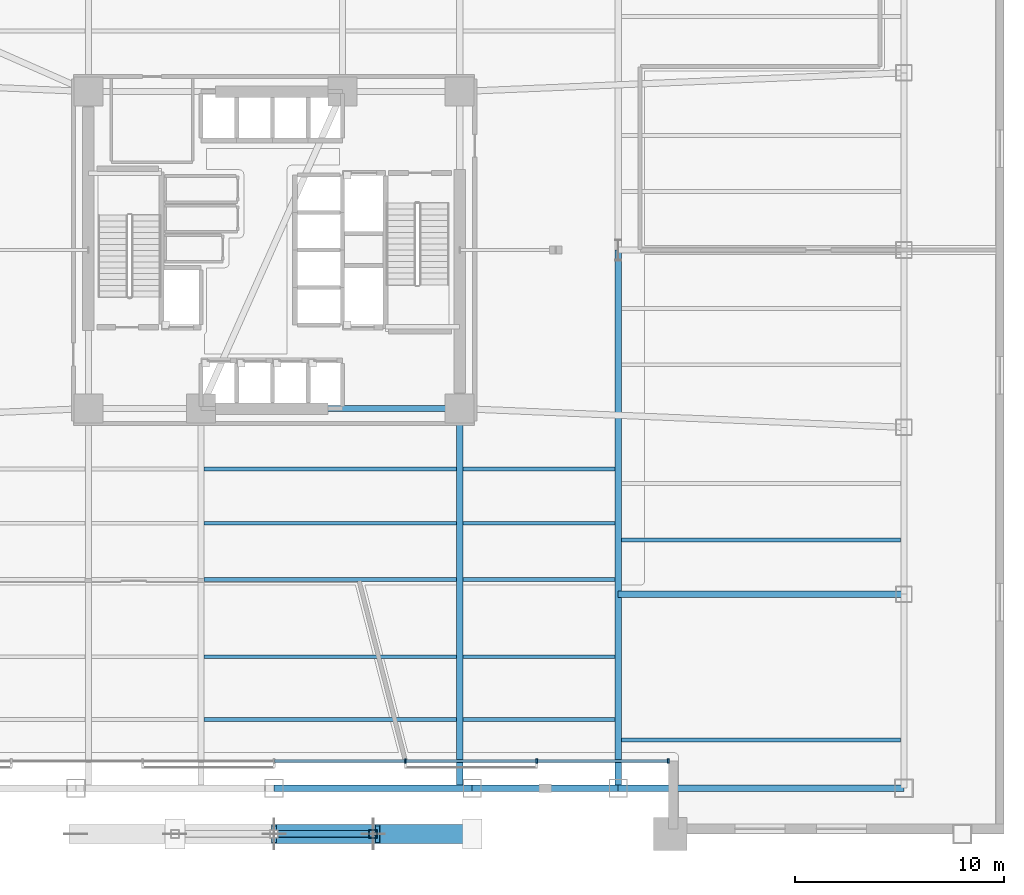
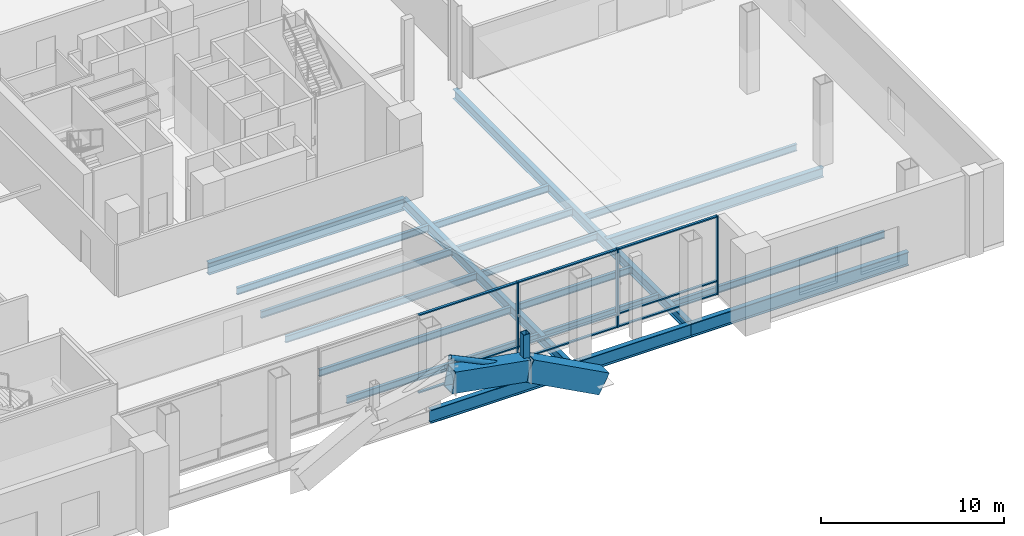
# One storey, part 4 of 19: 21 beams, 14 members, 1 element without a shape of its own.
"""IFC4 building model written with IfcOpenShell, lengths in metres."""

import ifcopenshell
import ifcopenshell.guid

model = None  # the IFC model being written
_history = None  # IfcOwnerHistory: only IFC2X3 demands one
_inside = {}  # id of a spatial element -> (the spatial element, [elements in it])
_under = {}  # id of a project, library or spatial element -> (it, [spatial elements below it])
_declared = {}  # id of a project -> (the project, [libraries it declares])
_typed = {}  # id of a type object -> (the type object, [elements of that type])
_made_of = {}  # id of a material, layer set ... -> (it, [elements and type objects made of it])


def new_model(schema):
    """Start an empty IFC model of exactly this schema.

    Asked for "IFC4X3", IfcOpenShell would pick the latest addendum, in which some entities
    have other attributes; the version numbers below select the first issue.
    IFC2X3 requires an IfcOwnerHistory on every rooted entity: one is made here for all.
    """
    global model, _history
    if schema == "IFC4X3":
        model = ifcopenshell.file(schema_version=(4, 3, 0, 0))
    else:
        model = ifcopenshell.file(schema=schema)
    _inside.clear()
    _under.clear()
    _declared.clear()
    _typed.clear()
    _made_of.clear()
    _history = None
    if model.schema == "IFC2X3":
        org = make("IfcOrganization", Name="unknown")
        user = make(
            "IfcPersonAndOrganization",
            ThePerson=make("IfcPerson", FamilyName="unknown"),
            TheOrganization=org,
        )
        app = make(
            "IfcApplication",
            ApplicationDeveloper=org,
            Version="unknown",
            ApplicationFullName="unknown",
            ApplicationIdentifier="unknown",
        )
        _history = make(
            "IfcOwnerHistory",
            OwningUser=user,
            OwningApplication=app,
            ChangeAction="ADDED",
            CreationDate=0,
        )
    return model


def make(cls, **values):
    """One entity of the class cls with the attributes given. An attribute that is None is left unset."""
    return model.create_entity(
        cls, **{name: value for name, value in values.items() if value is not None}
    )


def rooted(cls, **values):
    """An entity with a GlobalId (a new one), such as an element, a storey or a relation."""
    return make(cls, GlobalId=ifcopenshell.guid.new(), OwnerHistory=_history, **values)


def si_unit(unit_type, name, prefix=None):
    """IfcSIUnit, for example si_unit("LENGTHUNIT", "METRE", prefix="MILLI")."""
    return make("IfcSIUnit", UnitType=unit_type, Prefix=prefix, Name=name)


def assignment(units):
    """IfcUnitAssignment: the units of a project."""
    return None if units is None else make("IfcUnitAssignment", Units=units)


def point(xyz):
    """IfcCartesianPoint."""
    return None if xyz is None else make("IfcCartesianPoint", Coordinates=xyz)


def direction(xyz):
    """IfcDirection."""
    return None if xyz is None else make("IfcDirection", DirectionRatios=xyz)


def frame(location, z_axis=None, x_axis=None):
    """IfcAxis2Placement3D, a coordinate frame: its origin and axes. An axis left out is left unset."""
    return make(
        "IfcAxis2Placement3D",
        Location=point(location),
        Axis=direction(z_axis),
        RefDirection=direction(x_axis),
    )


def frame_2d(location, x_axis=None):
    """IfcAxis2Placement2D, a coordinate frame in the plane: its origin and x axis."""
    return make(
        "IfcAxis2Placement2D", Location=point(location), RefDirection=direction(x_axis)
    )


def origin():
    """The frame at (0, 0, 0) with its axes left unset."""
    return frame((0.0, 0.0, 0.0))


def origin_2d():
    """The frame at (0, 0) in the plane with its x axis left unset."""
    return frame_2d((0.0, 0.0))


def place(relative_to, where):
    """IfcLocalPlacement: puts the frame where relative to a parent placement (None: the world)."""
    return make(
        "IfcLocalPlacement", PlacementRelTo=relative_to, RelativePlacement=where
    )


def context(
    kind, dimensions, precision=None, world=None, true_north=None, identifier=None
):
    """IfcGeometricRepresentationContext, for example the 3D "Model" context."""
    return make(
        "IfcGeometricRepresentationContext",
        ContextIdentifier=identifier,
        ContextType=kind,
        CoordinateSpaceDimension=dimensions,
        Precision=precision,
        WorldCoordinateSystem=world,
        TrueNorth=true_north,
    )


def subcontext(parent, identifier, kind, view, scale=None):
    """IfcGeometricRepresentationSubContext, for example "Body" below "Model"."""
    return make(
        "IfcGeometricRepresentationSubContext",
        ContextIdentifier=identifier,
        ContextType=kind,
        ParentContext=parent,
        TargetScale=scale,
        TargetView=view,
    )


def project(units=None, contexts=None):
    """IfcProject with its units and contexts."""
    return rooted(
        "IfcProject",
        Name="project",
        RepresentationContexts=contexts,
        UnitsInContext=assignment(units),
    )


def spatial(cls, under=None, at=None, **own):
    """A site, building, storey or space (cls), placed at a placement, below another one or the project."""
    s = rooted(cls, ObjectPlacement=at, **own)
    if under is not None:
        _under.setdefault(under.id(), (under, []))[1].append(s)
    return s


def profile(cls, at=None, kind="AREA", **sizes):
    """A parametric profile (cls). Its sizes go by their IFC names, for example OverallWidth=200.0."""
    return make(cls, ProfileType=kind, Position=at, **sizes)


def rectangle(**sizes):
    """IfcRectangleProfileDef."""
    return profile("IfcRectangleProfileDef", **sizes)


def hollow_rectangle(**sizes):
    """IfcRectangleHollowProfileDef."""
    return profile("IfcRectangleHollowProfileDef", **sizes)


def hollow_circle(**sizes):
    """IfcCircleHollowProfileDef."""
    return profile("IfcCircleHollowProfileDef", **sizes)


def i_section(**sizes):
    """IfcIShapeProfileDef."""
    return profile("IfcIShapeProfileDef", **sizes)


def extrude(swept, where, along, depth):
    """IfcExtrudedAreaSolid: the profile swept, set in the frame where, extruded along a direction by depth."""
    return make(
        "IfcExtrudedAreaSolid",
        SweptArea=swept,
        Position=where,
        ExtrudedDirection=direction(along),
        Depth=depth,
    )


def shape(context_of_items, identifier, shape_type, items):
    """IfcShapeRepresentation: the items that make up one representation, for example the "Body"."""
    return make(
        "IfcShapeRepresentation",
        ContextOfItems=context_of_items,
        RepresentationIdentifier=identifier,
        RepresentationType=shape_type,
        Items=items,
    )


def material(Name=None, Category=None):
    """IfcMaterial."""
    return make("IfcMaterial", Name=Name, Category=Category)


def layer(
    of_material, thickness, ventilated=None, Name=None, Category=None, Priority=None
):
    """IfcMaterialLayer: one layer of a wall or slab, of a material (None: an air gap)."""
    return make(
        "IfcMaterialLayer",
        Material=of_material,
        LayerThickness=thickness,
        IsVentilated=ventilated,
        Name=Name,
        Category=Category,
        Priority=Priority,
    )


def layer_set(layers, Name=None):
    """IfcMaterialLayerSet."""
    return make("IfcMaterialLayerSet", MaterialLayers=layers, LayerSetName=Name)


def material_profile(
    of_material, cross_section, Name=None, Category=None, Priority=None
):
    """IfcMaterialProfile: a cross section and its material."""
    return make(
        "IfcMaterialProfile",
        Name=Name,
        Material=of_material,
        Profile=cross_section,
        Priority=Priority,
        Category=Category,
    )


def profile_set(profiles, Name=None, composite=None):
    """IfcMaterialProfileSet."""
    return make(
        "IfcMaterialProfileSet",
        Name=Name,
        MaterialProfiles=profiles,
        CompositeProfile=composite,
    )


def made_of(thing, what):
    """Note that an element or type object is made of a material, layer set ...; save() writes the relation."""
    if what is not None:
        _made_of.setdefault(what.id(), (what, []))[1].append(thing)
    return thing


def type_object(cls, material=None, **own):
    """A type object (cls), such as IfcWallType, which elements share."""
    return made_of(rooted(cls, **own), material)


def element(
    cls,
    number,
    at=None,
    inside=None,
    cuts=None,
    type_object=None,
    material=None,
    context=None,
    identifier="Body",
    shape_type=None,
    held_by="IfcProductDefinitionShape",
    body=None,
    shapes=None,
    **own,
):
    """One element of the class cls, such as IfcWall. Its Tag is "e" and its number.

    at: its placement. inside: the storey or other place that contains it. cuts: it is an
    opening in that element (IfcRelVoidsElement). A single representation is given by context,
    identifier, shape_type and body (its items); several are given by shapes. held_by: the class
    of the entity that holds the representations. save() writes the other relations.
    """
    e = rooted(cls, Tag="e%d" % number, ObjectPlacement=at, **own)
    if body is not None:
        shapes = [shape(context, identifier, shape_type, body)]
    if shapes is not None:
        e.Representation = make(held_by, Representations=shapes)
    if inside is not None:
        _inside.setdefault(inside.id(), (inside, []))[1].append(e)
    if cuts is not None:
        rooted(
            "IfcRelVoidsElement", RelatingBuildingElement=cuts, RelatedOpeningElement=e
        )
    if type_object is not None:
        _typed.setdefault(type_object.id(), (type_object, []))[1].append(e)
    return made_of(e, material)


def aggregate(whole, parts):
    """IfcRelAggregates: a whole, such as a stair, and the parts it consists of."""
    return rooted("IfcRelAggregates", RelatingObject=whole, RelatedObjects=parts)


def save(model, path):
    """Write the relations noted so far, then the file.

    IfcRelAggregates (storeys below a building ...), IfcRelContainedInSpatialStructure (elements
    in a storey), IfcRelDefinesByType, IfcRelAssociatesMaterial and IfcRelDeclares: one each for
    every whole, place, type object, material and project.
    """
    for whole, parts in _under.values():
        aggregate(whole, parts)
    for where, things in _inside.values():
        rooted(
            "IfcRelContainedInSpatialStructure",
            RelatedElements=things,
            RelatingStructure=where,
        )
    for kind, things in _typed.values():
        rooted("IfcRelDefinesByType", RelatedObjects=things, RelatingType=kind)
    for what, things in _made_of.values():
        rooted("IfcRelAssociatesMaterial", RelatedObjects=things, RelatingMaterial=what)
    for by, libraries in _declared.values():
        rooted("IfcRelDeclares", RelatingContext=by, RelatedDefinitions=libraries)
    model.write(path)


model = new_model("IFC4")

# Units and contexts
model_context = context("Model", 3, precision=1e-05, world=origin(), true_north=direction((0.0, 1.0)))
body_context = subcontext(model_context, "Body", "Model", "MODEL_VIEW")
ifc_project = project(units=[si_unit("LENGTHUNIT", "METRE"), si_unit("AREAUNIT", "SQUARE_METRE"), si_unit("VOLUMEUNIT", "CUBIC_METRE"), si_unit("PLANEANGLEUNIT", "RADIAN"), si_unit("MASSUNIT", "GRAM", prefix="KILO")], contexts=[model_context])

# Site, building, storey
site_placement = place(None, origin())
site = spatial("IfcSite", under=ifc_project, at=site_placement, CompositionType="ELEMENT")
building_placement = place(site_placement, origin())
building = spatial("IfcBuilding", under=site, at=building_placement, Name="Tharavind Bronze Gate", CompositionType="ELEMENT")
storey_placement = place(building_placement, frame((0.0, 0.0, 11.0)))
storey = spatial("IfcBuildingStorey", under=building, at=storey_placement, Name="L02", CompositionType="ELEMENT", Elevation=11.0)

# Beams
ifc_material_1 = material(Name="Steel S460", Category="steel")
ifc_material_profile_1 = material_profile(ifc_material_1, hollow_rectangle(XDim=0.89990234375, YDim=1.39990234375, WallThickness=0.054931640625, at=origin_2d()), Name="RHS1400X900X55")
ifc_profile_set_1 = profile_set([ifc_material_profile_1], Name="Steel S460")
beam_type_1 = type_object("IfcBeamType", Name="ARCH RIB GIRDER 1400X900", PredefinedType="USERDEFINED", material=ifc_profile_set_1)
beam_1_placement = place(storey_placement, frame((0.0, -28.0, 3.050048828125), z_axis=(0.984473825699, 0.0, -0.175531440242), x_axis=(0.0, 1.0, 0.0)))
element("IfcBeam", 1, at=beam_1_placement, inside=storey, type_object=beam_type_1, Name="Monumental bronze arch rib chord 5", ObjectType="GIRDER", PredefinedType="USERDEFINED", context=body_context, shape_type="SweptSolid", body=[
    extrude(hollow_rectangle(XDim=0.89990234375, YDim=1.39990234375, WallThickness=0.054931640625, at=origin_2d()), origin(), (0.0, 0.0, 1.0), 4.824951171875),
])
beam_2_placement = place(storey_placement, frame((4.75, -28.0, 2.203125), z_axis=(0.881797792408, 0.0, -0.471627663846), x_axis=(0.0, 1.0, 0.0)))
element("IfcBeam", 2, at=beam_2_placement, inside=storey, type_object=beam_type_1, Name="Monumental bronze arch rib chord 6", ObjectType="GIRDER", PredefinedType="USERDEFINED", context=body_context, shape_type="SweptSolid", body=[
    extrude(hollow_rectangle(XDim=0.89990234375, YDim=1.39990234375, WallThickness=0.054931640625, at=origin_2d()), origin(), (0.0, 0.0, 1.0), 5.38671875),
])

# Curtain wall, members
ifc_material_2 = material(Name="Anodised Bronze Aluminium", Category="aluminium")
ifc_layer = layer(ifc_material_2, 0.219970703125)
ifc_layer_set = layer_set([ifc_layer], Name="Anodised Bronze Aluminium")
curtain_wall_type = type_object("IfcCurtainWallType", Name="UNITISED CURTAIN WALL PODIUM", PredefinedType="USERDEFINED", material=ifc_layer_set)
curtain_wall_placement = place(storey_placement, origin())
curtain_wall = element("IfcCurtainWall", 3, at=curtain_wall_placement, inside=storey, type_object=curtain_wall_type, Name="L02 unitised curtain wall podium CW-L02-ARCH", ObjectType="UNITISED CURTAIN WALL", PredefinedType="USERDEFINED")
member_type_1 = type_object("IfcMemberType", Name="CURTAIN WALL MULLION 80X220", PredefinedType="MULLION", material=ifc_material_2)
member_1_placement = place(storey_placement, frame((6.300048828125, -24.5, 0.0), z_axis=(0.0, 0.0, 1.0), x_axis=(1.0, 0.0, 0.0)))
member_1 = element("IfcMember", 4, at=member_1_placement, type_object=member_type_1, Name="CW-L02-ARCH mullion 5", PredefinedType="MULLION", context=body_context, shape_type="SweptSolid", body=[
    extrude(rectangle(XDim=0.080078125, YDim=0.219970703125, at=origin_2d()), origin(), (0.0, 0.0, 1.0), 5.239990234375),
])
member_2_placement = place(storey_placement, frame((12.60009765625, -24.5, 0.0), z_axis=(0.0, 0.0, 1.0), x_axis=(1.0, 0.0, 0.0)))
member_2 = element("IfcMember", 5, at=member_2_placement, type_object=member_type_1, Name="CW-L02-ARCH mullion 6", PredefinedType="MULLION", context=body_context, shape_type="SweptSolid", body=[
    extrude(rectangle(XDim=0.080078125, YDim=0.219970703125, at=origin_2d()), origin(), (0.0, 0.0, 1.0), 5.239990234375),
])
member_3_placement = place(storey_placement, frame((18.89990234375, -24.5, 0.0), z_axis=(0.0, 0.0, 1.0), x_axis=(1.0, 0.0, 0.0)))
member_3 = element("IfcMember", 6, at=member_3_placement, type_object=member_type_1, Name="CW-L02-ARCH mullion 7", PredefinedType="MULLION", context=body_context, shape_type="SweptSolid", body=[
    extrude(rectangle(XDim=0.080078125, YDim=0.219970703125, at=origin_2d()), origin(), (0.0, 0.0, 1.0), 5.239990234375),
])
member_type_2 = type_object("IfcMemberType", Name="CURTAIN WALL TRANSOM 80X160", PredefinedType="USERDEFINED", material=ifc_material_2)
member_4_placement = place(storey_placement, frame((3.14990234375, -24.5, 0.0), z_axis=(0.0, 0.0, 1.0), x_axis=(1.0, 0.0, 0.0)))
member_4 = element("IfcMember", 7, at=member_4_placement, type_object=member_type_2, Name="CW-L02-ARCH transom TB4", ObjectType="TRANSOM", PredefinedType="USERDEFINED", context=body_context, shape_type="SweptSolid", body=[
    extrude(rectangle(XDim=6.23193359375, YDim=0.159912109375, at=origin_2d()), origin(), (0.0, 0.0, 1.0), 0.080078125),
])
member_5_placement = place(storey_placement, frame((3.14990234375, -24.5, 0.85986328125), z_axis=(0.0, 0.0, 1.0), x_axis=(1.0, 0.0, 0.0)))
member_5 = element("IfcMember", 8, at=member_5_placement, type_object=member_type_2, Name="CW-L02-ARCH transom TS4", ObjectType="TRANSOM", PredefinedType="USERDEFINED", context=body_context, shape_type="SweptSolid", body=[
    extrude(rectangle(XDim=6.23193359375, YDim=0.159912109375, at=origin_2d()), origin(), (0.0, 0.0, 1.0), 0.080078125),
])
member_6_placement = place(storey_placement, frame((3.14990234375, -24.5, 5.159912109375), z_axis=(0.0, 0.0, 1.0), x_axis=(1.0, 0.0, 0.0)))
member_6 = element("IfcMember", 9, at=member_6_placement, type_object=member_type_2, Name="CW-L02-ARCH transom TT4", ObjectType="TRANSOM", PredefinedType="USERDEFINED", context=body_context, shape_type="SweptSolid", body=[
    extrude(rectangle(XDim=6.23193359375, YDim=0.159912109375, at=origin_2d()), origin(), (0.0, 0.0, 1.0), 0.080078125),
])
member_7_placement = place(storey_placement, frame((9.449951171875, -24.5, 0.0), z_axis=(0.0, 0.0, 1.0), x_axis=(1.0, 0.0, 0.0)))
member_7 = element("IfcMember", 10, at=member_7_placement, type_object=member_type_2, Name="CW-L02-ARCH transom TB5", ObjectType="TRANSOM", PredefinedType="USERDEFINED", context=body_context, shape_type="SweptSolid", body=[
    extrude(rectangle(XDim=6.23193359375, YDim=0.159912109375, at=origin_2d()), origin(), (0.0, 0.0, 1.0), 0.080078125),
])
member_8_placement = place(storey_placement, frame((9.449951171875, -24.5, 0.85986328125), z_axis=(0.0, 0.0, 1.0), x_axis=(1.0, 0.0, 0.0)))
member_8 = element("IfcMember", 11, at=member_8_placement, type_object=member_type_2, Name="CW-L02-ARCH transom TS5", ObjectType="TRANSOM", PredefinedType="USERDEFINED", context=body_context, shape_type="SweptSolid", body=[
    extrude(rectangle(XDim=6.23193359375, YDim=0.159912109375, at=origin_2d()), origin(), (0.0, 0.0, 1.0), 0.080078125),
])
member_9_placement = place(storey_placement, frame((9.449951171875, -24.5, 5.159912109375), z_axis=(0.0, 0.0, 1.0), x_axis=(1.0, 0.0, 0.0)))
member_9 = element("IfcMember", 12, at=member_9_placement, type_object=member_type_2, Name="CW-L02-ARCH transom TT5", ObjectType="TRANSOM", PredefinedType="USERDEFINED", context=body_context, shape_type="SweptSolid", body=[
    extrude(rectangle(XDim=6.23193359375, YDim=0.159912109375, at=origin_2d()), origin(), (0.0, 0.0, 1.0), 0.080078125),
])
member_10_placement = place(storey_placement, frame((15.75, -24.5, 0.0), z_axis=(0.0, 0.0, 1.0), x_axis=(1.0, 0.0, 0.0)))
member_10 = element("IfcMember", 13, at=member_10_placement, type_object=member_type_2, Name="CW-L02-ARCH transom TB6", ObjectType="TRANSOM", PredefinedType="USERDEFINED", context=body_context, shape_type="SweptSolid", body=[
    extrude(rectangle(XDim=6.23193359375, YDim=0.159912109375, at=origin_2d()), origin(), (0.0, 0.0, 1.0), 0.080078125),
])
member_11_placement = place(storey_placement, frame((15.75, -24.5, 0.85986328125), z_axis=(0.0, 0.0, 1.0), x_axis=(1.0, 0.0, 0.0)))
member_11 = element("IfcMember", 14, at=member_11_placement, type_object=member_type_2, Name="CW-L02-ARCH transom TS6", ObjectType="TRANSOM", PredefinedType="USERDEFINED", context=body_context, shape_type="SweptSolid", body=[
    extrude(rectangle(XDim=6.23193359375, YDim=0.159912109375, at=origin_2d()), origin(), (0.0, 0.0, 1.0), 0.080078125),
])
member_12_placement = place(storey_placement, frame((15.75, -24.5, 5.159912109375), z_axis=(0.0, 0.0, 1.0), x_axis=(1.0, 0.0, 0.0)))
member_12 = element("IfcMember", 15, at=member_12_placement, type_object=member_type_2, Name="CW-L02-ARCH transom TT6", ObjectType="TRANSOM", PredefinedType="USERDEFINED", context=body_context, shape_type="SweptSolid", body=[
    extrude(rectangle(XDim=6.23193359375, YDim=0.159912109375, at=origin_2d()), origin(), (0.0, 0.0, 1.0), 0.080078125),
])
aggregate(curtain_wall, [member_1, member_2, member_3, member_4, member_5, member_6, member_7, member_8, member_9, member_10, member_11, member_12])

# Members
ifc_material_profile_2 = material_profile(ifc_material_1, hollow_rectangle(XDim=0.39990234375, YDim=0.39990234375, WallThickness=0.02490234375, at=origin_2d()), Name="SHS400X25")
ifc_profile_set_2 = profile_set([ifc_material_profile_2], Name="Steel S460")
member_type_3 = type_object("IfcMemberType", Name="OUTRIGGER VERTICAL STRUT SHS400", PredefinedType="STRUT", material=ifc_profile_set_2)
member_13_placement = place(storey_placement, frame((4.75, -28.0, 2.203125), z_axis=(0.0, 0.0, 1.0), x_axis=(1.0, 0.0, 0.0)))
element("IfcMember", 16, at=member_13_placement, inside=storey, type_object=member_type_3, Name="Monumental arch spandrel vertical strut 5", PredefinedType="STRUT", context=body_context, shape_type="SweptSolid", body=[
    extrude(hollow_rectangle(XDim=0.39990234375, YDim=0.39990234375, WallThickness=0.02490234375, at=origin_2d()), origin(), (0.0, 0.0, 1.0), 2.286865234375),
])
ifc_material_profile_3 = material_profile(ifc_material_1, hollow_circle(Radius=0.161865234375, WallThickness=0.01611328125, at=origin_2d()), Name="CHS323X16")
ifc_profile_set_3 = profile_set([ifc_material_profile_3], Name="Steel S460")
member_type_4 = type_object("IfcMemberType", Name="PODIUM ARCH BRACE CHS323", PredefinedType="BRACE", material=ifc_profile_set_3)
member_14_placement = place(storey_placement, frame((0.0, -28.0, 4.489990234375), z_axis=(0.901014407299, 0.0, -0.433789162889), x_axis=(0.0, 1.0, 0.0)))
element("IfcMember", 17, at=member_14_placement, inside=storey, type_object=member_type_4, Name="Monumental arch spandrel truss diagonal 5", PredefinedType="BRACE", context=body_context, shape_type="SweptSolid", body=[
    extrude(hollow_circle(Radius=0.161865234375, WallThickness=0.01611328125, at=origin_2d()), origin(), (0.0, 0.0, 1.0), 5.271728515625),
])

# Beams
ifc_material_3 = material(Name="Steel S355", Category="steel")
ifc_material_profile_4 = material_profile(ifc_material_3, i_section(OverallWidth=0.300048828125, OverallDepth=0.64990234375, WebThickness=0.01611328125, FlangeThickness=0.031005859375, at=origin_2d()), Name="HE650B")
ifc_profile_set_4 = profile_set([ifc_material_profile_4], Name="Steel S355")
beam_type_2 = type_object("IfcBeamType", Name="PRIMARY GIRDER HE650B", PredefinedType="USERDEFINED", material=ifc_profile_set_4)
beam_3_placement = place(storey_placement, frame((8.89990234375, -25.800048828125, -0.60498046875), z_axis=(0.0, 1.0, 0.0), x_axis=(-1.0, 0.0, 0.0)))
element("IfcBeam", 18, at=beam_3_placement, inside=storey, type_object=beam_type_2, Name="L02 primary girder he650b BM-L02-GS4", ObjectType="GIRDER", PredefinedType="USERDEFINED", context=body_context, shape_type="SweptSolid", body=[
    extrude(i_section(OverallWidth=0.300048828125, OverallDepth=0.64990234375, WebThickness=0.01611328125, FlangeThickness=0.031005859375, at=origin_2d()), origin(), (0.0, 0.0, 1.0), 18.199951171875),
])
beam_4_placement = place(storey_placement, frame((16.5, -25.800048828125, -0.60498046875), z_axis=(0.0, 1.0, 0.0), x_axis=(-1.0, 0.0, 0.0)))
element("IfcBeam", 19, at=beam_4_placement, inside=storey, type_object=beam_type_2, Name="L02 primary girder he650b BM-L02-GS5S", ObjectType="GIRDER", PredefinedType="USERDEFINED", context=body_context, shape_type="SweptSolid", body=[
    extrude(i_section(OverallWidth=0.300048828125, OverallDepth=0.64990234375, WebThickness=0.01611328125, FlangeThickness=0.031005859375, at=origin_2d()), origin(), (0.0, 0.0, 1.0), 25.800048828125),
])
beam_5_placement = place(storey_placement, frame((30.199951171875, -16.5, -0.60498046875), z_axis=(-1.0, 0.0, 0.0), x_axis=(0.0, -1.0, 0.0)))
element("IfcBeam", 20, at=beam_5_placement, inside=storey, type_object=beam_type_2, Name="L02 primary girder he650b BM-L02-GE0", ObjectType="GIRDER", PredefinedType="USERDEFINED", context=body_context, shape_type="SweptSolid", body=[
    extrude(i_section(OverallWidth=0.300048828125, OverallDepth=0.64990234375, WebThickness=0.01611328125, FlangeThickness=0.031005859375, at=origin_2d()), origin(), (0.0, 0.0, 1.0), 13.699951171875),
])
ifc_material_profile_5 = material_profile(ifc_material_3, i_section(OverallWidth=0.300048828125, OverallDepth=0.800048828125, WebThickness=0.017578125, FlangeThickness=0.032958984375, at=origin_2d()), Name="HE800B")
ifc_profile_set_5 = profile_set([ifc_material_profile_5], Name="Steel S355")
beam_type_3 = type_object("IfcBeamType", Name="RING GIRDER HE800B", PredefinedType="USERDEFINED", material=ifc_profile_set_5)
beam_6_placement = place(storey_placement, frame((-3.5, -7.60009765625, -0.679931640625), z_axis=(1.0, 0.0, 0.0), x_axis=(0.0, 1.0, 0.0)))
element("IfcBeam", 21, at=beam_6_placement, inside=storey, type_object=beam_type_3, Name="L02 ring girder he800b BM-L02-CR2", ObjectType="GIRDER", PredefinedType="USERDEFINED", context=body_context, shape_type="SweptSolid", body=[
    extrude(i_section(OverallWidth=0.300048828125, OverallDepth=0.800048828125, WebThickness=0.017578125, FlangeThickness=0.032958984375, at=origin_2d()), origin(), (0.0, 0.0, 1.0), 12.39990234375),
])
ifc_material_profile_6 = material_profile(ifc_material_3, i_section(OverallWidth=0.18994140625, OverallDepth=0.449951171875, WebThickness=0.009521484375, FlangeThickness=0.0146484375, at=origin_2d()), Name="IPE450")
ifc_profile_set_6 = profile_set([ifc_material_profile_6], Name="Steel S355")
beam_type_4 = type_object("IfcBeamType", Name="SECONDARY FLOOR JOIST IPE450", PredefinedType="JOIST", material=ifc_profile_set_6)
beam_7_placement = place(storey_placement, frame((-3.347900390625, -22.5, -0.5048828125), z_axis=(1.0, 0.0, 0.0), x_axis=(0.0, 1.0, 0.0)))
element("IfcBeam", 22, at=beam_7_placement, inside=storey, type_object=beam_type_4, Name="L02 secondary floor joist ipe450 BM-L02-JSS1B", PredefinedType="JOIST", context=body_context, shape_type="SweptSolid", body=[
    extrude(i_section(OverallWidth=0.18994140625, OverallDepth=0.449951171875, WebThickness=0.009521484375, FlangeThickness=0.0146484375, at=origin_2d()), origin(), (0.0, 0.0, 1.0), 12.095947265625),
])
beam_8_placement = place(storey_placement, frame((9.052001953125, -22.5, -0.5048828125), z_axis=(1.0, 0.0, 0.0), x_axis=(0.0, 1.0, 0.0)))
element("IfcBeam", 23, at=beam_8_placement, inside=storey, type_object=beam_type_4, Name="L02 secondary floor joist ipe450 BM-L02-JSS1E", PredefinedType="JOIST", context=body_context, shape_type="SweptSolid", body=[
    extrude(i_section(OverallWidth=0.18994140625, OverallDepth=0.449951171875, WebThickness=0.009521484375, FlangeThickness=0.0146484375, at=origin_2d()), origin(), (0.0, 0.0, 1.0), 7.2958984375),
])
beam_9_placement = place(storey_placement, frame((-3.347900390625, -19.5, -0.5048828125), z_axis=(1.0, 0.0, 0.0), x_axis=(0.0, 1.0, 0.0)))
element("IfcBeam", 24, at=beam_9_placement, inside=storey, type_object=beam_type_4, Name="L02 secondary floor joist ipe450 BM-L02-JSS2B", PredefinedType="JOIST", context=body_context, shape_type="SweptSolid", body=[
    extrude(i_section(OverallWidth=0.18994140625, OverallDepth=0.449951171875, WebThickness=0.009521484375, FlangeThickness=0.0146484375, at=origin_2d()), origin(), (0.0, 0.0, 1.0), 12.095947265625),
])
beam_10_placement = place(storey_placement, frame((9.052001953125, -19.5, -0.5048828125), z_axis=(1.0, 0.0, 0.0), x_axis=(0.0, 1.0, 0.0)))
element("IfcBeam", 25, at=beam_10_placement, inside=storey, type_object=beam_type_4, Name="L02 secondary floor joist ipe450 BM-L02-JSS2E", PredefinedType="JOIST", context=body_context, shape_type="SweptSolid", body=[
    extrude(i_section(OverallWidth=0.18994140625, OverallDepth=0.449951171875, WebThickness=0.009521484375, FlangeThickness=0.0146484375, at=origin_2d()), origin(), (0.0, 0.0, 1.0), 7.2958984375),
])
beam_11_placement = place(storey_placement, frame((-3.347900390625, -15.800048828125, -0.5048828125), z_axis=(1.0, 0.0, 0.0), x_axis=(0.0, 1.0, 0.0)))
element("IfcBeam", 26, at=beam_11_placement, inside=storey, type_object=beam_type_4, Name="L02 secondary floor joist ipe450 BM-L02-JSS3B", PredefinedType="JOIST", context=body_context, shape_type="SweptSolid", body=[
    extrude(i_section(OverallWidth=0.18994140625, OverallDepth=0.449951171875, WebThickness=0.009521484375, FlangeThickness=0.0146484375, at=origin_2d()), origin(), (0.0, 0.0, 1.0), 12.095947265625),
])
beam_12_placement = place(storey_placement, frame((9.052001953125, -15.800048828125, -0.5048828125), z_axis=(1.0, 0.0, 0.0), x_axis=(0.0, 1.0, 0.0)))
element("IfcBeam", 27, at=beam_12_placement, inside=storey, type_object=beam_type_4, Name="L02 secondary floor joist ipe450 BM-L02-JSS3E", PredefinedType="JOIST", context=body_context, shape_type="SweptSolid", body=[
    extrude(i_section(OverallWidth=0.18994140625, OverallDepth=0.449951171875, WebThickness=0.009521484375, FlangeThickness=0.0146484375, at=origin_2d()), origin(), (0.0, 0.0, 1.0), 7.2958984375),
])
beam_13_placement = place(storey_placement, frame((-3.347900390625, -13.10009765625, -0.5048828125), z_axis=(1.0, 0.0, 0.0), x_axis=(0.0, 1.0, 0.0)))
element("IfcBeam", 28, at=beam_13_placement, inside=storey, type_object=beam_type_4, Name="L02 secondary floor joist ipe450 BM-L02-JSS4B", PredefinedType="JOIST", context=body_context, shape_type="SweptSolid", body=[
    extrude(i_section(OverallWidth=0.18994140625, OverallDepth=0.449951171875, WebThickness=0.009521484375, FlangeThickness=0.0146484375, at=origin_2d()), origin(), (0.0, 0.0, 1.0), 12.095947265625),
])
beam_14_placement = place(storey_placement, frame((9.052001953125, -13.10009765625, -0.5048828125), z_axis=(1.0, 0.0, 0.0), x_axis=(0.0, 1.0, 0.0)))
element("IfcBeam", 29, at=beam_14_placement, inside=storey, type_object=beam_type_4, Name="L02 secondary floor joist ipe450 BM-L02-JSS4E", PredefinedType="JOIST", context=body_context, shape_type="SweptSolid", body=[
    extrude(i_section(OverallWidth=0.18994140625, OverallDepth=0.449951171875, WebThickness=0.009521484375, FlangeThickness=0.0146484375, at=origin_2d()), origin(), (0.0, 0.0, 1.0), 7.2958984375),
])
beam_15_placement = place(storey_placement, frame((-3.347900390625, -10.5, -0.5048828125), z_axis=(1.0, 0.0, 0.0), x_axis=(0.0, 1.0, 0.0)))
element("IfcBeam", 30, at=beam_15_placement, inside=storey, type_object=beam_type_4, Name="L02 secondary floor joist ipe450 BM-L02-JSS5B", PredefinedType="JOIST", context=body_context, shape_type="SweptSolid", body=[
    extrude(i_section(OverallWidth=0.18994140625, OverallDepth=0.449951171875, WebThickness=0.009521484375, FlangeThickness=0.0146484375, at=origin_2d()), origin(), (0.0, 0.0, 1.0), 12.095947265625),
])
beam_16_placement = place(storey_placement, frame((9.052001953125, -10.5, -0.5048828125), z_axis=(1.0, 0.0, 0.0), x_axis=(0.0, 1.0, 0.0)))
element("IfcBeam", 31, at=beam_16_placement, inside=storey, type_object=beam_type_4, Name="L02 secondary floor joist ipe450 BM-L02-JSS5E", PredefinedType="JOIST", context=body_context, shape_type="SweptSolid", body=[
    extrude(i_section(OverallWidth=0.18994140625, OverallDepth=0.449951171875, WebThickness=0.009521484375, FlangeThickness=0.0146484375, at=origin_2d()), origin(), (0.0, 0.0, 1.0), 7.2958984375),
])
for number, where, z_axis, x_axis, name in (
    (32, (16.652099609375, -23.5, -0.5048828125), (1.0, 0.0, 0.0), (0.0, 1.0, 0.0), "L02 secondary floor joist ipe450 BM-L02-JSEE1"),
    (33, (16.652099609375, -13.89990234375, -0.5048828125), (1.0, 0.0, 0.0), (0.0, 1.0, 0.0), "L02 secondary floor joist ipe450 BM-L02-JSEE2"),
):
    element("IfcBeam", number, at=place(storey_placement, frame(where, z_axis=z_axis, x_axis=x_axis)), inside=storey, type_object=beam_type_4, Name=name, PredefinedType="JOIST", context=body_context, shape_type="SweptSolid", body=[
        extrude(i_section(OverallWidth=0.18994140625, OverallDepth=0.449951171875, WebThickness=0.009521484375, FlangeThickness=0.0146484375, at=origin_2d()), origin(), (0.0, 0.0, 1.0), 13.387939453125),
    ])
ifc_material_profile_7 = material_profile(ifc_material_3, i_section(OverallWidth=0.300048828125, OverallDepth=0.89990234375, WebThickness=0.0185546875, FlangeThickness=0.034912109375, at=origin_2d()), Name="HE900B")
ifc_profile_set_7 = profile_set([ifc_material_profile_7], Name="Steel S355")
beam_type_5 = type_object("IfcBeamType", Name="SPANDREL RING BEAM HE900B", PredefinedType="SPANDREL", material=ifc_profile_set_7)
beam_17_placement = place(storey_placement, frame((0.0, -25.800048828125, -0.72998046875), z_axis=(1.0, 0.0, 0.0), x_axis=(0.0, 1.0, 0.0)))
element("IfcBeam", 34, at=beam_17_placement, inside=storey, type_object=beam_type_5, Name="L02 spandrel ring beam he900b BM-L02-PS4", PredefinedType="SPANDREL", context=body_context, shape_type="SweptSolid", body=[
    extrude(i_section(OverallWidth=0.300048828125, OverallDepth=0.89990234375, WebThickness=0.0185546875, FlangeThickness=0.034912109375, at=origin_2d()), origin(), (0.0, 0.0, 1.0), 9.5),
])
beam_18_placement = place(storey_placement, frame((9.5, -25.800048828125, -0.72998046875), z_axis=(1.0, 0.0, 0.0), x_axis=(0.0, 1.0, 0.0)))
element("IfcBeam", 35, at=beam_18_placement, inside=storey, type_object=beam_type_5, Name="L02 spandrel ring beam he900b BM-L02-PS5", PredefinedType="SPANDREL", context=body_context, shape_type="SweptSolid", body=[
    extrude(i_section(OverallWidth=0.300048828125, OverallDepth=0.89990234375, WebThickness=0.0185546875, FlangeThickness=0.034912109375, at=origin_2d()), origin(), (0.0, 0.0, 1.0), 7.0),
])
beam_19_placement = place(storey_placement, frame((16.5, -25.800048828125, -0.72998046875), z_axis=(1.0, 0.0, 0.0), x_axis=(0.0, 1.0, 0.0)))
element("IfcBeam", 36, at=beam_19_placement, inside=storey, type_object=beam_type_5, Name="L02 spandrel ring beam he900b BM-L02-PS6", PredefinedType="SPANDREL", context=body_context, shape_type="SweptSolid", body=[
    extrude(i_section(OverallWidth=0.300048828125, OverallDepth=0.89990234375, WebThickness=0.0185546875, FlangeThickness=0.034912109375, at=origin_2d()), origin(), (0.0, 0.0, 1.0), 13.699951171875),
])

save(model, "model.ifc")
